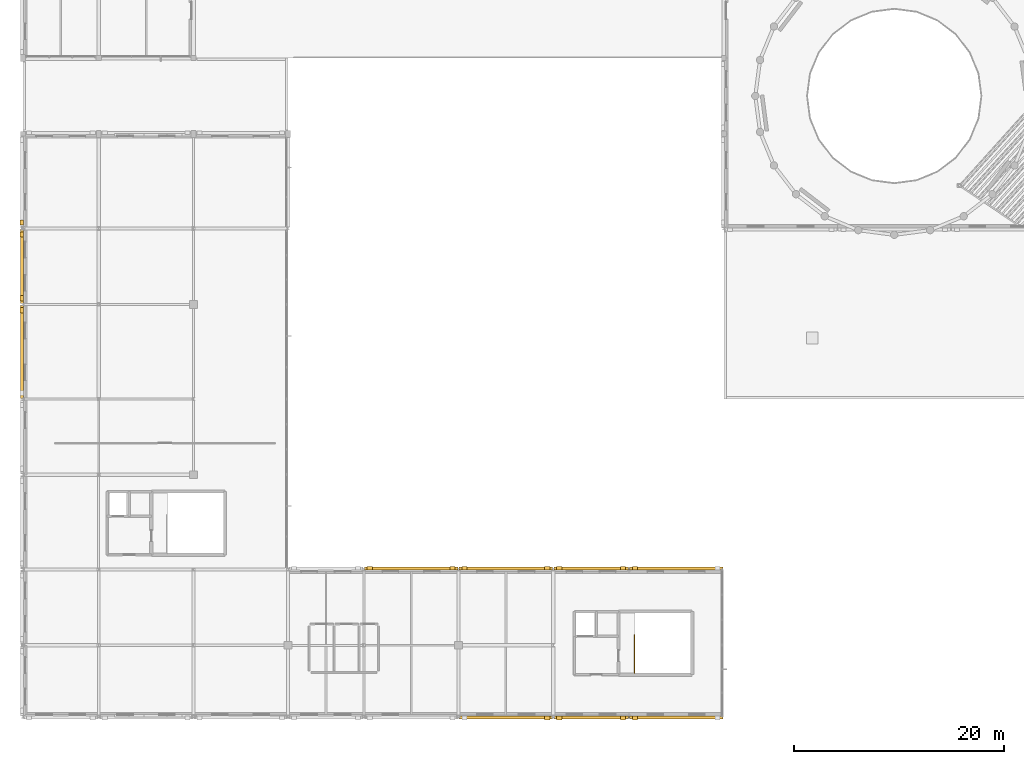
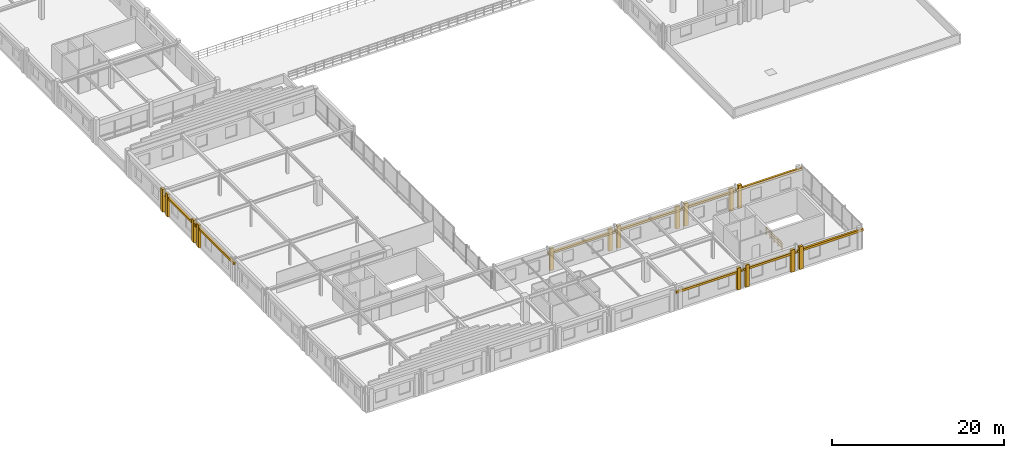
# One storey, part 58 of 74: 24 coverings, 1 railing.
"""IFC4 building model written with IfcOpenShell, lengths in metres."""

from ifc_helpers import new_model, si_unit, direction, frame, frame_2d, origin, origin_2d, place, context, subcontext, project, spatial, rectangle, circle, extrude, material, layer, layer_set, type_object, element, save


model = new_model("IFC4")

# Units and contexts
model_context = context("Model", 3, precision=1e-05, world=origin(), true_north=direction((0.0, 1.0)))
body_context = subcontext(model_context, "Body", "Model", "MODEL_VIEW")
ifc_project = project(units=[si_unit("LENGTHUNIT", "METRE"), si_unit("AREAUNIT", "SQUARE_METRE"), si_unit("VOLUMEUNIT", "CUBIC_METRE"), si_unit("PLANEANGLEUNIT", "RADIAN"), si_unit("MASSUNIT", "GRAM", prefix="KILO")], contexts=[model_context])

# Site, building, storey
site_placement = place(None, origin())
site = spatial("IfcSite", under=ifc_project, at=site_placement, CompositionType="ELEMENT")
building_placement = place(site_placement, origin())
building = spatial("IfcBuilding", under=site, at=building_placement, Name="Clarverna Civic Hall", CompositionType="ELEMENT")
storey_placement = place(building_placement, frame((0.0, 0.0, 13.199951171875)))
storey = spatial("IfcBuildingStorey", under=building, at=storey_placement, Name="L03", CompositionType="ELEMENT", Elevation=13.199951171875)

# Coverings
ifc_material_1 = material(Name="Montjuic Buff Limestone Ashlar Cladding", Category="masonry")
ifc_layer = layer(ifc_material_1, 0.070068359375)
ifc_layer_set = layer_set([ifc_layer], Name="Montjuic Buff Limestone Ashlar Cladding")
covering_type = type_object("IfcCoveringType", Name="CV-CL2", PredefinedType="CLADDING", material=ifc_layer_set)
covering_1_placement = place(storey_placement, frame((66.514892578125, -0.080078125, 2.43994140625), z_axis=(0.0, 0.0, 1.0), x_axis=(-1.0, 0.0, 0.0)))
element("IfcCovering", 1, at=covering_1_placement, inside=storey, type_object=covering_type, Name="CV-CL2-668", PredefinedType="CLADDING", context=body_context, shape_type="SweptSolid", body=[
    extrude(rectangle(XDim=8.85498046875, YDim=0.280029296875, at=frame_2d((4.427490234375, 0.0))), origin(), (0.0, 0.0, 1.0), 0.300048828125),
])
covering_2_placement = place(storey_placement, frame((58.419921875, -0.110107421875, 0.0), z_axis=(0.0, 0.0, 1.0), x_axis=(-1.0, 0.0, 0.0)))
element("IfcCovering", 2, at=covering_2_placement, inside=storey, type_object=covering_type, Name="CV-CL2-670", PredefinedType="CLADDING", context=body_context, shape_type="SweptSolid", body=[
    extrude(rectangle(XDim=0.5, YDim=0.340087890625, at=frame_2d((0.25, 0.0))), origin(), (0.0, 0.0, 1.0), 3.199951171875),
])
covering_3_placement = place(storey_placement, frame((57.5400390625, -0.080078125, 2.380126953125), z_axis=(0.0, 0.0, 1.0), x_axis=(-1.0, 0.0, 0.0)))
element("IfcCovering", 3, at=covering_3_placement, inside=storey, type_object=covering_type, Name="CV-CL2-671", PredefinedType="CLADDING", context=body_context, shape_type="SweptSolid", body=[
    extrude(rectangle(XDim=7.080078125, YDim=0.280029296875, at=frame_2d((3.5400390625, 0.0))), origin(), (0.0, 0.0, 1.0), 0.2998046875),
])
for number, where, z_axis, x_axis, name in (
    (4, (57.280029296875, -0.110107421875, 0.0), (0.0, 0.0, 1.0), (-1.0, 0.0, 0.0), "CV-CL2-672"),
    (5, (51.219970703125, -0.110107421875, 0.0), (0.0, 0.0, 1.0), (-1.0, 0.0, 0.0), "CV-CL2-673"),
):
    element("IfcCovering", number, at=place(storey_placement, frame(where, z_axis=z_axis, x_axis=x_axis)), inside=storey, type_object=covering_type, Name=name, PredefinedType="CLADDING", context=body_context, shape_type="SweptSolid", body=[
        extrude(rectangle(XDim=0.5, YDim=0.340087890625, at=frame_2d((0.25, 0.0))), origin(), (0.0, 0.0, 1.0), 3.14013671875),
    ])
covering_4_placement = place(storey_placement, frame((50.340087890625, -0.080078125, 2.340087890625), z_axis=(0.0, 0.0, 1.0), x_axis=(-1.0, 0.0, 0.0)))
element("IfcCovering", 6, at=covering_4_placement, inside=storey, type_object=covering_type, Name="CV-CL2-674", PredefinedType="CLADDING", context=body_context, shape_type="SweptSolid", body=[
    extrude(rectangle(XDim=8.880126953125, YDim=0.280029296875, at=frame_2d((4.43994140625, 0.0))), origin(), (0.0, 0.0, 1.0), 0.300048828125),
])
covering_5_placement = place(storey_placement, frame((50.080078125, -0.110107421875, 0.0), z_axis=(0.0, 0.0, 1.0), x_axis=(-1.0, 0.0, 0.0)))
element("IfcCovering", 7, at=covering_5_placement, inside=storey, type_object=covering_type, Name="CV-CL2-675", PredefinedType="CLADDING", context=body_context, shape_type="SweptSolid", body=[
    extrude(rectangle(XDim=0.5, YDim=0.340087890625, at=frame_2d((0.25, 0.0))), origin(), (0.0, 0.0, 1.0), 3.10009765625),
])
covering_6_placement = place(storey_placement, frame((-0.080078125, 30.260009765625, 2.47998046875), z_axis=(0.0, 0.0, 1.0), x_axis=(0.0, 1.0, 0.0)))
element("IfcCovering", 8, at=covering_6_placement, inside=storey, type_object=covering_type, Name="CV-CL2-704", PredefinedType="CLADDING", context=body_context, shape_type="SweptSolid", body=[
    extrude(rectangle(XDim=8.8798828125, YDim=0.280029296875, at=frame_2d((4.43994140625, 0.0))), origin(), (0.0, 0.0, 1.0), 0.300048828125),
])
covering_7_placement = place(storey_placement, frame((-0.110107421875, 38.3798828125, 0.0), z_axis=(0.0, 0.0, 1.0), x_axis=(0.0, 1.0, 0.0)))
element("IfcCovering", 9, at=covering_7_placement, inside=storey, type_object=covering_type, Name="CV-CL2-706", PredefinedType="CLADDING", context=body_context, shape_type="SweptSolid", body=[
    extrude(rectangle(XDim=0.5, YDim=0.340087890625, at=frame_2d((0.25, 0.0))), origin(), (0.0, 0.0, 1.0), 3.239990234375),
])
covering_8_placement = place(storey_placement, frame((-0.080078125, 39.260009765625, 2.43994140625), z_axis=(0.0, 0.0, 1.0), x_axis=(0.0, 1.0, 0.0)))
element("IfcCovering", 10, at=covering_8_placement, inside=storey, type_object=covering_type, Name="CV-CL2-707", PredefinedType="CLADDING", context=body_context, shape_type="SweptSolid", body=[
    extrude(rectangle(XDim=7.080078125, YDim=0.280029296875, at=frame_2d((3.5400390625, 0.0))), origin(), (0.0, 0.0, 1.0), 0.300048828125),
])
for number, where, z_axis, x_axis, name in (
    (11, (-0.110107421875, 39.52001953125, 0.0), (0.0, 0.0, 1.0), (0.0, 1.0, 0.0), "CV-CL2-708"),
    (12, (-0.110107421875, 45.580078125, 0.0), (0.0, 0.0, 1.0), (0.0, 1.0, 0.0), "CV-CL2-709"),
    (13, (-0.110107421875, 46.719970703125, 0.0), (0.0, 0.0, 1.0), (0.0, 1.0, 0.0), "CV-CL2-711"),
):
    element("IfcCovering", number, at=place(storey_placement, frame(where, z_axis=z_axis, x_axis=x_axis)), inside=storey, type_object=covering_type, Name=name, PredefinedType="CLADDING", context=body_context, shape_type="SweptSolid", body=[
        extrude(rectangle(XDim=0.5, YDim=0.340087890625, at=frame_2d((0.25, 0.0))), origin(), (0.0, 0.0, 1.0), 3.199951171875),
    ])
covering_9_placement = place(storey_placement, frame((32.4599609375, 14.080078125, 2.340087890625), z_axis=(0.0, 0.0, 1.0), x_axis=(1.0, 0.0, 0.0)))
element("IfcCovering", 14, at=covering_9_placement, inside=storey, type_object=covering_type, Name="CV-CL2-725", PredefinedType="CLADDING", context=body_context, shape_type="SweptSolid", body=[
    extrude(rectangle(XDim=8.880126953125, YDim=0.280029296875, at=frame_2d((4.43994140625, 0.0))), origin(), (0.0, 0.0, 1.0), 0.300048828125),
])
for number, where, z_axis, x_axis, name in (
    (15, (32.719970703125, 14.110107421875, 0.0), (0.0, 0.0, 1.0), (1.0, 0.0, 0.0), "CV-CL2-726"),
    (16, (40.580078125, 14.110107421875, 0.0), (0.0, 0.0, 1.0), (1.0, 0.0, 0.0), "CV-CL2-727"),
):
    element("IfcCovering", number, at=place(storey_placement, frame(where, z_axis=z_axis, x_axis=x_axis)), inside=storey, type_object=covering_type, Name=name, PredefinedType="CLADDING", context=body_context, shape_type="SweptSolid", body=[
        extrude(rectangle(XDim=0.5, YDim=0.340087890625, at=frame_2d((0.25, 0.0))), origin(), (0.0, 0.0, 1.0), 3.10009765625),
    ])
covering_10_placement = place(storey_placement, frame((41.4599609375, 14.080078125, 2.380126953125), z_axis=(0.0, 0.0, 1.0), x_axis=(1.0, 0.0, 0.0)))
element("IfcCovering", 17, at=covering_10_placement, inside=storey, type_object=covering_type, Name="CV-CL2-728", PredefinedType="CLADDING", context=body_context, shape_type="SweptSolid", body=[
    extrude(rectangle(XDim=8.880126953125, YDim=0.280029296875, at=frame_2d((4.43994140625, 0.0))), origin(), (0.0, 0.0, 1.0), 0.2998046875),
])
for number, where, z_axis, x_axis, name in (
    (18, (41.719970703125, 14.110107421875, 0.0), (0.0, 0.0, 1.0), (1.0, 0.0, 0.0), "CV-CL2-729"),
    (19, (49.580078125, 14.110107421875, 0.0), (0.0, 0.0, 1.0), (1.0, 0.0, 0.0), "CV-CL2-730"),
):
    element("IfcCovering", number, at=place(storey_placement, frame(where, z_axis=z_axis, x_axis=x_axis)), inside=storey, type_object=covering_type, Name=name, PredefinedType="CLADDING", context=body_context, shape_type="SweptSolid", body=[
        extrude(rectangle(XDim=0.5, YDim=0.340087890625, at=frame_2d((0.25, 0.0))), origin(), (0.0, 0.0, 1.0), 3.14013671875),
    ])
covering_11_placement = place(storey_placement, frame((50.4599609375, 14.080078125, 2.43994140625), z_axis=(0.0, 0.0, 1.0), x_axis=(1.0, 0.0, 0.0)))
element("IfcCovering", 20, at=covering_11_placement, inside=storey, type_object=covering_type, Name="CV-CL2-731", PredefinedType="CLADDING", context=body_context, shape_type="SweptSolid", body=[
    extrude(rectangle(XDim=7.080078125, YDim=0.280029296875, at=frame_2d((3.5400390625, 0.0))), origin(), (0.0, 0.0, 1.0), 0.300048828125),
])
for number, where, z_axis, x_axis, name in (
    (21, (50.719970703125, 14.110107421875, 0.0), (0.0, 0.0, 1.0), (1.0, 0.0, 0.0), "CV-CL2-732"),
    (22, (56.780029296875, 14.110107421875, 0.0), (0.0, 0.0, 1.0), (1.0, 0.0, 0.0), "CV-CL2-733"),
):
    element("IfcCovering", number, at=place(storey_placement, frame(where, z_axis=z_axis, x_axis=x_axis)), inside=storey, type_object=covering_type, Name=name, PredefinedType="CLADDING", context=body_context, shape_type="SweptSolid", body=[
        extrude(rectangle(XDim=0.5, YDim=0.340087890625, at=frame_2d((0.25, 0.0))), origin(), (0.0, 0.0, 1.0), 3.199951171875),
    ])
covering_12_placement = place(storey_placement, frame((57.659912109375, 14.080078125, 2.5), z_axis=(0.0, 0.0, 1.0), x_axis=(1.0, 0.0, 0.0)))
element("IfcCovering", 23, at=covering_12_placement, inside=storey, type_object=covering_type, Name="CV-CL2-734", PredefinedType="CLADDING", context=body_context, shape_type="SweptSolid", body=[
    extrude(rectangle(XDim=8.85498046875, YDim=0.280029296875, at=frame_2d((4.427490234375, 0.0))), origin(), (0.0, 0.0, 1.0), 0.300048828125),
])
covering_13_placement = place(storey_placement, frame((57.919921875, 14.110107421875, 0.0), z_axis=(0.0, 0.0, 1.0), x_axis=(1.0, 0.0, 0.0)))
element("IfcCovering", 24, at=covering_13_placement, inside=storey, type_object=covering_type, Name="CV-CL2-735", PredefinedType="CLADDING", context=body_context, shape_type="SweptSolid", body=[
    extrude(rectangle(XDim=0.5, YDim=0.340087890625, at=frame_2d((0.25, 0.0))), origin(), (0.0, 0.0, 1.0), 3.260009765625),
])

# Railing
ifc_material_2 = material(Name="Anodised Bronze Architectural Balustrade")
railing_type = type_object("IfcRailingType", Name="GR-02", PredefinedType="BALUSTRADE", material=ifc_material_2)
railing_placement = place(storey_placement, frame((58.110107421875, 4.139892578125, 0.0)))
element("IfcRailing", 25, at=railing_placement, inside=storey, type_object=railing_type, Name="GR-02-135", PredefinedType="BALUSTRADE", context=body_context, shape_type="SweptSolid", body=[
    extrude(circle(Radius=0.02392578125, at=origin_2d()), frame((0.0, 0.0, 1.09619140625), z_axis=(0.0, 1.0, 0.0), x_axis=(-1.0, 0.0, 0.0)), (0.0, 0.0, 1.0), 3.66015625),
    extrude(circle(Radius=0.011962890625, at=origin_2d()), frame((0.0, 0.0, 0.39208984375), z_axis=(0.0, 1.0, 0.0), x_axis=(-1.0, 0.0, 0.0)), (0.0, 0.0, 1.0), 3.66015625),
    extrude(circle(Radius=0.011962890625, at=origin_2d()), frame((0.0, 0.0, 0.76171875), z_axis=(0.0, 1.0, 0.0), x_axis=(-1.0, 0.0, 0.0)), (0.0, 0.0, 1.0), 3.66015625),
    extrude(circle(Radius=0.02099609375, at=origin_2d()), origin(), (0.0, 0.0, 1.0), 1.072021484375),
    extrude(circle(Radius=0.02099609375, at=origin_2d()), frame((0.0, 0.9150390625, 0.0)), (0.0, 0.0, 1.0), 1.072021484375),
    extrude(circle(Radius=0.02099609375, at=origin_2d()), frame((0.0, 1.830078125, 0.0)), (0.0, 0.0, 1.0), 1.072021484375),
    extrude(circle(Radius=0.02099609375, at=origin_2d()), frame((0.0, 2.7451171875, 0.0)), (0.0, 0.0, 1.0), 1.072021484375),
    extrude(circle(Radius=0.02099609375, at=origin_2d()), frame((0.0, 3.66015625, 0.0)), (0.0, 0.0, 1.0), 1.072021484375),
])

save(model, "model.ifc")
